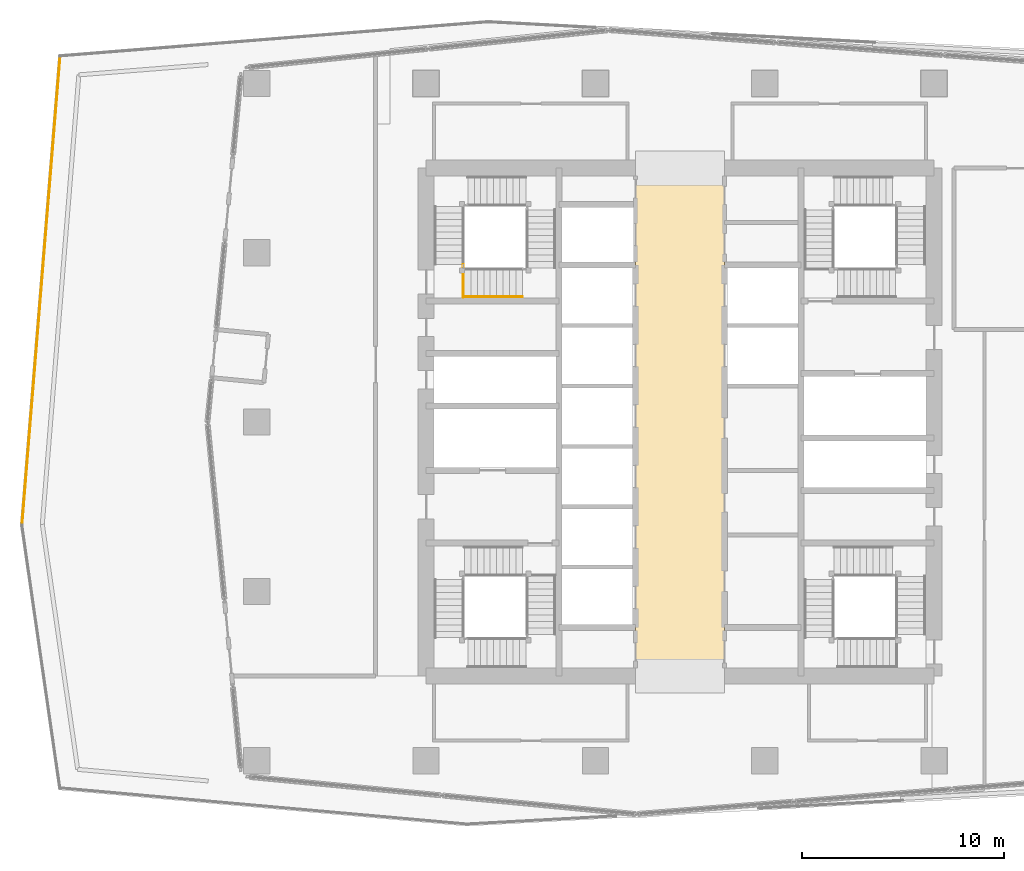
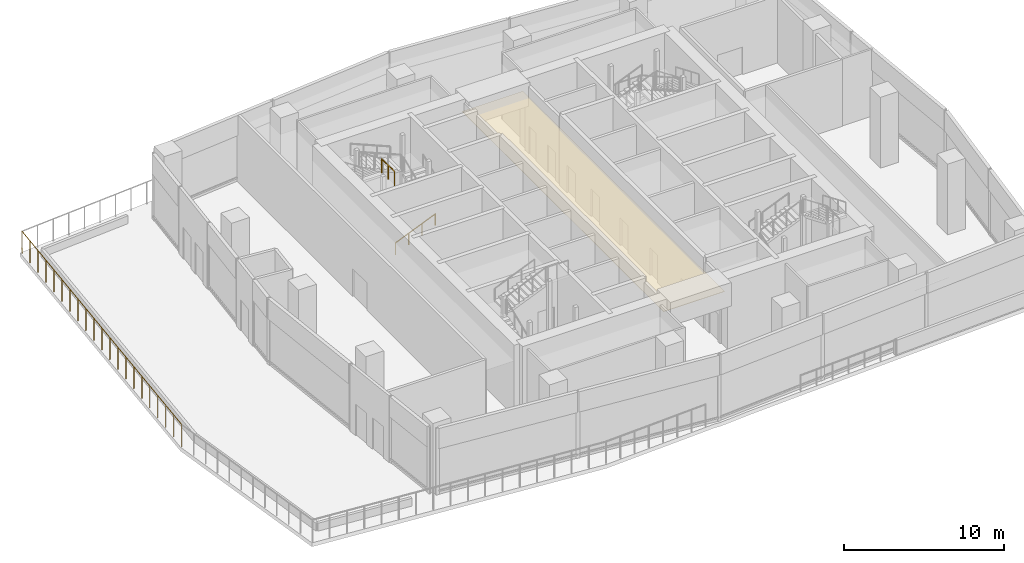
# One storey, part 17 of 22: 3 railings, 1 covering.
"""IFC4 building model written with IfcOpenShell, lengths in metres."""

import ifcopenshell
import ifcopenshell.guid

model = None  # the IFC model being written
_history = None  # IfcOwnerHistory: only IFC2X3 demands one
_inside = {}  # id of a spatial element -> (the spatial element, [elements in it])
_under = {}  # id of a project, library or spatial element -> (it, [spatial elements below it])
_declared = {}  # id of a project -> (the project, [libraries it declares])
_typed = {}  # id of a type object -> (the type object, [elements of that type])
_made_of = {}  # id of a material, layer set ... -> (it, [elements and type objects made of it])


def new_model(schema):
    """Start an empty IFC model of exactly this schema.

    Asked for "IFC4X3", IfcOpenShell would pick the latest addendum, in which some entities
    have other attributes; the version numbers below select the first issue.
    IFC2X3 requires an IfcOwnerHistory on every rooted entity: one is made here for all.
    """
    global model, _history
    if schema == "IFC4X3":
        model = ifcopenshell.file(schema_version=(4, 3, 0, 0))
    else:
        model = ifcopenshell.file(schema=schema)
    _inside.clear()
    _under.clear()
    _declared.clear()
    _typed.clear()
    _made_of.clear()
    _history = None
    if model.schema == "IFC2X3":
        org = make("IfcOrganization", Name="unknown")
        user = make(
            "IfcPersonAndOrganization",
            ThePerson=make("IfcPerson", FamilyName="unknown"),
            TheOrganization=org,
        )
        app = make(
            "IfcApplication",
            ApplicationDeveloper=org,
            Version="unknown",
            ApplicationFullName="unknown",
            ApplicationIdentifier="unknown",
        )
        _history = make(
            "IfcOwnerHistory",
            OwningUser=user,
            OwningApplication=app,
            ChangeAction="ADDED",
            CreationDate=0,
        )
    return model


def make(cls, **values):
    """One entity of the class cls with the attributes given. An attribute that is None is left unset."""
    return model.create_entity(
        cls, **{name: value for name, value in values.items() if value is not None}
    )


def rooted(cls, **values):
    """An entity with a GlobalId (a new one), such as an element, a storey or a relation."""
    return make(cls, GlobalId=ifcopenshell.guid.new(), OwnerHistory=_history, **values)


def si_unit(unit_type, name, prefix=None):
    """IfcSIUnit, for example si_unit("LENGTHUNIT", "METRE", prefix="MILLI")."""
    return make("IfcSIUnit", UnitType=unit_type, Prefix=prefix, Name=name)


def assignment(units):
    """IfcUnitAssignment: the units of a project."""
    return None if units is None else make("IfcUnitAssignment", Units=units)


def point(xyz):
    """IfcCartesianPoint."""
    return None if xyz is None else make("IfcCartesianPoint", Coordinates=xyz)


def direction(xyz):
    """IfcDirection."""
    return None if xyz is None else make("IfcDirection", DirectionRatios=xyz)


def frame(location, z_axis=None, x_axis=None):
    """IfcAxis2Placement3D, a coordinate frame: its origin and axes. An axis left out is left unset."""
    return make(
        "IfcAxis2Placement3D",
        Location=point(location),
        Axis=direction(z_axis),
        RefDirection=direction(x_axis),
    )


def frame_2d(location, x_axis=None):
    """IfcAxis2Placement2D, a coordinate frame in the plane: its origin and x axis."""
    return make(
        "IfcAxis2Placement2D", Location=point(location), RefDirection=direction(x_axis)
    )


def origin():
    """The frame at (0, 0, 0) with its axes left unset."""
    return frame((0.0, 0.0, 0.0))


def origin_2d():
    """The frame at (0, 0) in the plane with its x axis left unset."""
    return frame_2d((0.0, 0.0))


def place(relative_to, where):
    """IfcLocalPlacement: puts the frame where relative to a parent placement (None: the world)."""
    return make(
        "IfcLocalPlacement", PlacementRelTo=relative_to, RelativePlacement=where
    )


def context(
    kind, dimensions, precision=None, world=None, true_north=None, identifier=None
):
    """IfcGeometricRepresentationContext, for example the 3D "Model" context."""
    return make(
        "IfcGeometricRepresentationContext",
        ContextIdentifier=identifier,
        ContextType=kind,
        CoordinateSpaceDimension=dimensions,
        Precision=precision,
        WorldCoordinateSystem=world,
        TrueNorth=true_north,
    )


def subcontext(parent, identifier, kind, view, scale=None):
    """IfcGeometricRepresentationSubContext, for example "Body" below "Model"."""
    return make(
        "IfcGeometricRepresentationSubContext",
        ContextIdentifier=identifier,
        ContextType=kind,
        ParentContext=parent,
        TargetScale=scale,
        TargetView=view,
    )


def project(units=None, contexts=None):
    """IfcProject with its units and contexts."""
    return rooted(
        "IfcProject",
        Name="project",
        RepresentationContexts=contexts,
        UnitsInContext=assignment(units),
    )


def spatial(cls, under=None, at=None, **own):
    """A site, building, storey or space (cls), placed at a placement, below another one or the project."""
    s = rooted(cls, ObjectPlacement=at, **own)
    if under is not None:
        _under.setdefault(under.id(), (under, []))[1].append(s)
    return s


def polyline(points):
    """IfcPolyline through the points."""
    return make("IfcPolyline", Points=[point(p) for p in points])


def profile(cls, at=None, kind="AREA", **sizes):
    """A parametric profile (cls). Its sizes go by their IFC names, for example OverallWidth=200.0."""
    return make(cls, ProfileType=kind, Position=at, **sizes)


def circle(**sizes):
    """IfcCircleProfileDef."""
    return profile("IfcCircleProfileDef", **sizes)


def outline(outer, holes=None, kind="AREA"):
    """IfcArbitraryClosedProfileDef: a profile drawn as a closed curve; with holes, ...WithVoids."""
    if holes is None:
        return make("IfcArbitraryClosedProfileDef", ProfileType=kind, OuterCurve=outer)
    return make(
        "IfcArbitraryProfileDefWithVoids",
        ProfileType=kind,
        OuterCurve=outer,
        InnerCurves=holes,
    )


def extrude(swept, where, along, depth):
    """IfcExtrudedAreaSolid: the profile swept, set in the frame where, extruded along a direction by depth."""
    return make(
        "IfcExtrudedAreaSolid",
        SweptArea=swept,
        Position=where,
        ExtrudedDirection=direction(along),
        Depth=depth,
    )


def shape(context_of_items, identifier, shape_type, items):
    """IfcShapeRepresentation: the items that make up one representation, for example the "Body"."""
    return make(
        "IfcShapeRepresentation",
        ContextOfItems=context_of_items,
        RepresentationIdentifier=identifier,
        RepresentationType=shape_type,
        Items=items,
    )


def material(Name=None, Category=None):
    """IfcMaterial."""
    return make("IfcMaterial", Name=Name, Category=Category)


def layer(
    of_material, thickness, ventilated=None, Name=None, Category=None, Priority=None
):
    """IfcMaterialLayer: one layer of a wall or slab, of a material (None: an air gap)."""
    return make(
        "IfcMaterialLayer",
        Material=of_material,
        LayerThickness=thickness,
        IsVentilated=ventilated,
        Name=Name,
        Category=Category,
        Priority=Priority,
    )


def layer_set(layers, Name=None):
    """IfcMaterialLayerSet."""
    return make("IfcMaterialLayerSet", MaterialLayers=layers, LayerSetName=Name)


def made_of(thing, what):
    """Note that an element or type object is made of a material, layer set ...; save() writes the relation."""
    if what is not None:
        _made_of.setdefault(what.id(), (what, []))[1].append(thing)
    return thing


def type_object(cls, material=None, **own):
    """A type object (cls), such as IfcWallType, which elements share."""
    return made_of(rooted(cls, **own), material)


def element(
    cls,
    number,
    at=None,
    inside=None,
    cuts=None,
    type_object=None,
    material=None,
    context=None,
    identifier="Body",
    shape_type=None,
    held_by="IfcProductDefinitionShape",
    body=None,
    shapes=None,
    **own,
):
    """One element of the class cls, such as IfcWall. Its Tag is "e" and its number.

    at: its placement. inside: the storey or other place that contains it. cuts: it is an
    opening in that element (IfcRelVoidsElement). A single representation is given by context,
    identifier, shape_type and body (its items); several are given by shapes. held_by: the class
    of the entity that holds the representations. save() writes the other relations.
    """
    e = rooted(cls, Tag="e%d" % number, ObjectPlacement=at, **own)
    if body is not None:
        shapes = [shape(context, identifier, shape_type, body)]
    if shapes is not None:
        e.Representation = make(held_by, Representations=shapes)
    if inside is not None:
        _inside.setdefault(inside.id(), (inside, []))[1].append(e)
    if cuts is not None:
        rooted(
            "IfcRelVoidsElement", RelatingBuildingElement=cuts, RelatedOpeningElement=e
        )
    if type_object is not None:
        _typed.setdefault(type_object.id(), (type_object, []))[1].append(e)
    return made_of(e, material)


def aggregate(whole, parts):
    """IfcRelAggregates: a whole, such as a stair, and the parts it consists of."""
    return rooted("IfcRelAggregates", RelatingObject=whole, RelatedObjects=parts)


def save(model, path):
    """Write the relations noted so far, then the file.

    IfcRelAggregates (storeys below a building ...), IfcRelContainedInSpatialStructure (elements
    in a storey), IfcRelDefinesByType, IfcRelAssociatesMaterial and IfcRelDeclares: one each for
    every whole, place, type object, material and project.
    """
    for whole, parts in _under.values():
        aggregate(whole, parts)
    for where, things in _inside.values():
        rooted(
            "IfcRelContainedInSpatialStructure",
            RelatedElements=things,
            RelatingStructure=where,
        )
    for kind, things in _typed.values():
        rooted("IfcRelDefinesByType", RelatedObjects=things, RelatingType=kind)
    for what, things in _made_of.values():
        rooted("IfcRelAssociatesMaterial", RelatedObjects=things, RelatingMaterial=what)
    for by, libraries in _declared.values():
        rooted("IfcRelDeclares", RelatingContext=by, RelatedDefinitions=libraries)
    model.write(path)


model = new_model("IFC4")

# Units and contexts
model_context = context("Model", 3, precision=1e-05, world=origin(), true_north=direction((0.0, 1.0)))
body_context = subcontext(model_context, "Body", "Model", "MODEL_VIEW")
ifc_project = project(units=[si_unit("LENGTHUNIT", "METRE"), si_unit("AREAUNIT", "SQUARE_METRE"), si_unit("VOLUMEUNIT", "CUBIC_METRE"), si_unit("PLANEANGLEUNIT", "RADIAN"), si_unit("MASSUNIT", "GRAM", prefix="KILO")], contexts=[model_context])

# Site, building, storey
site_placement = place(None, origin())
site = spatial("IfcSite", under=ifc_project, at=site_placement, CompositionType="ELEMENT")
building_placement = place(site_placement, origin())
building = spatial("IfcBuilding", under=site, at=building_placement, Name="Rekha Terrace Tower", CompositionType="ELEMENT")
storey_placement = place(building_placement, frame((0.0, 0.0, 291.35009765625)))
storey = spatial("IfcBuildingStorey", under=building, at=storey_placement, Name="L74", CompositionType="ELEMENT", Elevation=291.35009765625)

# Covering
ifc_material_1 = material(Name="Powder-coated aluminium pan", Category="aluminium")
ifc_layer = layer(ifc_material_1, 0.030029296875)
ifc_layer_set = layer_set([ifc_layer], Name="Powder-coated aluminium pan")
covering_type = type_object("IfcCoveringType", Name="CL3 300x1200 metal pan ceiling", PredefinedType="CEILING", material=ifc_layer_set)
covering_placement = place(storey_placement, frame((0.0, 0.0, 4.169921875)))
element("IfcCovering", 1, at=covering_placement, inside=storey, type_object=covering_type, Name="Ceiling L74-LOBBY", PredefinedType="CEILING", context=body_context, shape_type="SweptSolid", body=[
    extrude(outline(polyline([(40.0, 46.199951171875), (35.60009765625, 46.199951171875), (35.60009765625, 21.0), (40.0, 21.0), (40.0, 46.199951171875)])), origin(), (0.0, 0.0, 1.0), 0.030029296875),
])

# Railings
ifc_material_2 = material(Name="Stainless steel balustrade", Category="steel")
railing_type_1 = type_object("IfcRailingType", Name="GR1 1100 stair guard", PredefinedType="GUARDRAIL", material=ifc_material_2)
railing_1_placement = place(storey_placement, frame((27.0400390625, 39.800048828125, 5.39990234375)))
element("IfcRailing", 2, at=railing_1_placement, inside=storey, type_object=railing_type_1, Name="Guard ST4 L74 landing 5", PredefinedType="GUARDRAIL", context=body_context, shape_type="SweptSolid", body=[
    extrude(circle(Radius=0.02392578125, at=origin_2d()), frame((0.0, 0.0, 1.076171875), z_axis=(0.0, 1.0, 0.0), x_axis=(-1.0, 0.0, 0.0)), (0.0, 0.0, 1.0), 1.619873046875),
    extrude(circle(Radius=0.02099609375, at=origin_2d()), origin(), (0.0, 0.0, 1.0), 1.052001953125),
    extrude(circle(Radius=0.02099609375, at=origin_2d()), frame((0.0, 0.81005859375, 0.0)), (0.0, 0.0, 1.0), 1.052001953125),
    extrude(circle(Radius=0.02099609375, at=origin_2d()), frame((0.0, 1.619873046875, 0.0)), (0.0, 0.0, 1.0), 1.052001953125),
])
ifc_material_3 = material(Name="Stainless steel posts and laminated glass infill", Category="steel")
railing_type_2 = type_object("IfcRailingType", Name="GR4 terrace glass guard 1700", PredefinedType="GUARDRAIL", material=ifc_material_3)
railing_2_placement = place(storey_placement, frame((7.042724609375, 51.757080078125, 0.0)))
element("IfcRailing", 3, at=railing_2_placement, inside=storey, type_object=railing_type_2, Name="Terrace guard", PredefinedType="GUARDRAIL", context=body_context, shape_type="SweptSolid", body=[
    extrude(circle(Radius=0.02392578125, at=origin_2d()), frame((0.0, 0.0, 1.67578125), z_axis=(-0.081063858899, -0.996708909753, 0.0), x_axis=(0.996708909753, -0.081063858899, 0.0)), (0.0, 0.0, 1.0), 23.3408203125),
    extrude(circle(Radius=0.02099609375, at=origin_2d()), origin(), (0.0, 0.0, 1.0), 1.65185546875),
    extrude(circle(Radius=0.02099609375, at=origin_2d()), frame((-0.0947265625, -1.1630859375, 0.0)), (0.0, 0.0, 1.0), 1.65185546875),
    extrude(circle(Radius=0.02099609375, at=origin_2d()), frame((-0.189208984375, -2.326416015625, 0.0)), (0.0, 0.0, 1.0), 1.65185546875),
    extrude(circle(Radius=0.02099609375, at=origin_2d()), frame((-0.28369140625, -3.489501953125, 0.0)), (0.0, 0.0, 1.0), 1.65185546875),
    extrude(circle(Radius=0.02099609375, at=origin_2d()), frame((-0.37841796875, -4.65283203125, 0.0)), (0.0, 0.0, 1.0), 1.65185546875),
    extrude(circle(Radius=0.02099609375, at=origin_2d()), frame((-0.47314453125, -5.81591796875, 0.0)), (0.0, 0.0, 1.0), 1.65185546875),
    extrude(circle(Radius=0.02099609375, at=origin_2d()), frame((-0.567626953125, -6.979248046875, 0.0)), (0.0, 0.0, 1.0), 1.65185546875),
    extrude(circle(Radius=0.02099609375, at=origin_2d()), frame((-0.662109375, -8.142333984375, 0.0)), (0.0, 0.0, 1.0), 1.65185546875),
    extrude(circle(Radius=0.02099609375, at=origin_2d()), frame((-0.7568359375, -9.3056640625, 0.0)), (0.0, 0.0, 1.0), 1.65185546875),
    extrude(circle(Radius=0.02099609375, at=origin_2d()), frame((-0.8515625, -10.46875, 0.0)), (0.0, 0.0, 1.0), 1.65185546875),
    extrude(circle(Radius=0.02099609375, at=origin_2d()), frame((-0.946044921875, -11.6318359375, 0.0)), (0.0, 0.0, 1.0), 1.65185546875),
    extrude(circle(Radius=0.02099609375, at=origin_2d()), frame((-1.04052734375, -12.795166015625, 0.0)), (0.0, 0.0, 1.0), 1.65185546875),
    extrude(circle(Radius=0.02099609375, at=origin_2d()), frame((-1.13525390625, -13.958251953125, 0.0)), (0.0, 0.0, 1.0), 1.65185546875),
    extrude(circle(Radius=0.02099609375, at=origin_2d()), frame((-1.22998046875, -15.12158203125, 0.0)), (0.0, 0.0, 1.0), 1.65185546875),
    extrude(circle(Radius=0.02099609375, at=origin_2d()), frame((-1.324462890625, -16.28466796875, 0.0)), (0.0, 0.0, 1.0), 1.65185546875),
    extrude(circle(Radius=0.02099609375, at=origin_2d()), frame((-1.4189453125, -17.447998046875, 0.0)), (0.0, 0.0, 1.0), 1.65185546875),
    extrude(circle(Radius=0.02099609375, at=origin_2d()), frame((-1.513671875, -18.611083984375, 0.0)), (0.0, 0.0, 1.0), 1.65185546875),
    extrude(circle(Radius=0.02099609375, at=origin_2d()), frame((-1.6083984375, -19.7744140625, 0.0)), (0.0, 0.0, 1.0), 1.65185546875),
    extrude(circle(Radius=0.02099609375, at=origin_2d()), frame((-1.702880859375, -20.9375, 0.0)), (0.0, 0.0, 1.0), 1.65185546875),
    extrude(circle(Radius=0.02099609375, at=origin_2d()), frame((-1.79736328125, -22.100830078125, 0.0)), (0.0, 0.0, 1.0), 1.65185546875),
    extrude(circle(Radius=0.02099609375, at=origin_2d()), frame((-1.89208984375, -23.263916015625, 0.0)), (0.0, 0.0, 1.0), 1.65185546875),
])
ifc_material_4 = material(Name="Stainless steel tube", Category="steel")
railing_type_3 = type_object("IfcRailingType", Name="HR1 900 stair handrail", PredefinedType="HANDRAIL", material=ifc_material_4)
railing_3_placement = place(storey_placement, frame((27.10009765625, 39.81005859375, 0.135009765625)))
element("IfcRailing", 4, at=railing_3_placement, inside=storey, type_object=railing_type_3, Name="Handrail ST4 L74 flight 1", PredefinedType="HANDRAIL", context=body_context, shape_type="SweptSolid", body=[
    extrude(circle(Radius=0.02392578125, at=origin_2d()), frame((0.0, 0.0, 0.8759765625), z_axis=(0.921376398962, 0.0, 0.388671495527), x_axis=(0.0, 1.0, 0.0)), (0.0, 0.0, 1.0), 3.125732421875),
    extrude(circle(Radius=0.02099609375, at=origin_2d()), origin(), (0.0, 0.0, 1.0), 0.851806640625),
    extrude(circle(Radius=0.02099609375, at=origin_2d()), frame((0.9599609375, 0.0, 0.405029296875)), (0.0, 0.0, 1.0), 0.851806640625),
    extrude(circle(Radius=0.02099609375, at=origin_2d()), frame((1.919921875, 0.0, 0.809814453125)), (0.0, 0.0, 1.0), 0.851806640625),
    extrude(circle(Radius=0.02099609375, at=origin_2d()), frame((2.8798828125, 0.0, 1.21484375)), (0.0, 0.0, 1.0), 0.851806640625),
])

save(model, "model.ifc")
